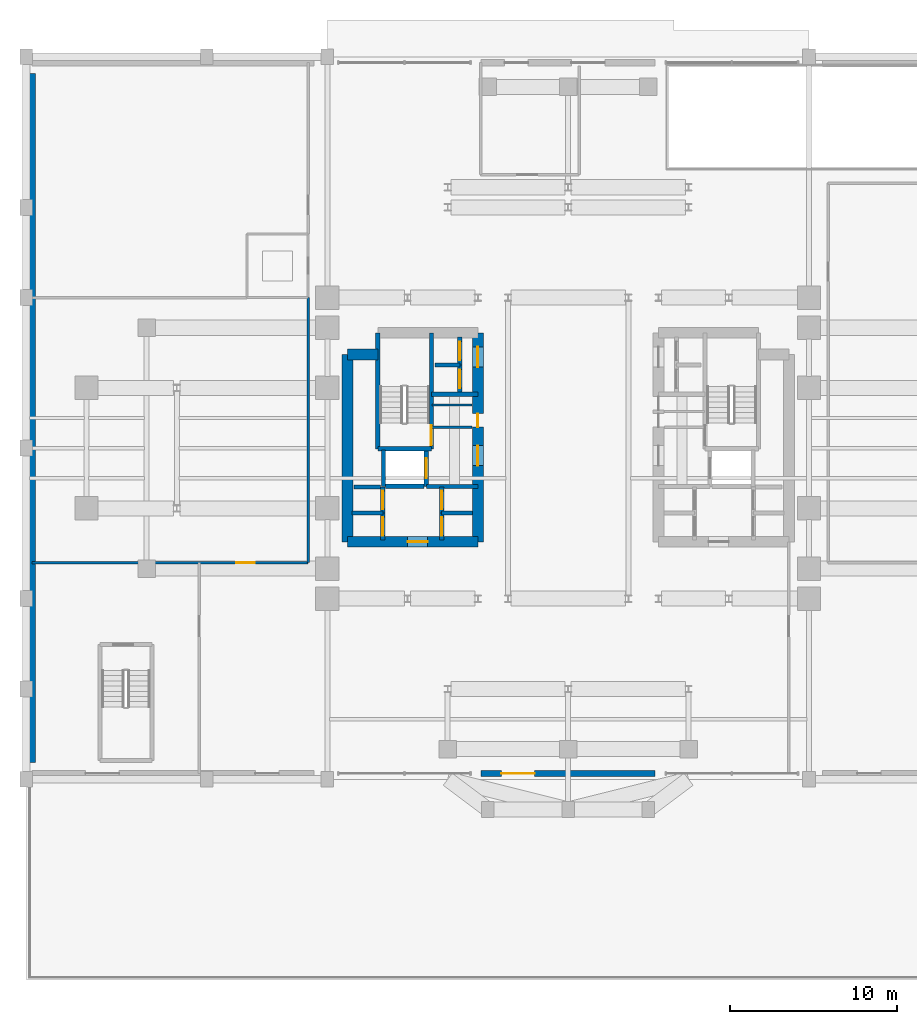
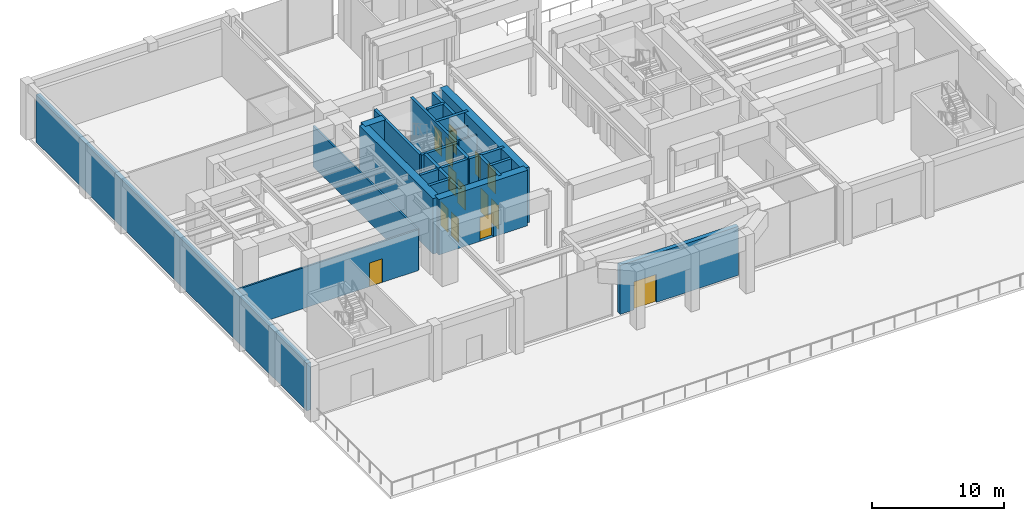
# One storey, part 10 of 17: 28 walls, 14 doors, 14 openings.
"""IFC4 building model written with IfcOpenShell, lengths in metres."""

from ifc_helpers import new_model, si_unit, direction, frame, frame_2d, origin, place, context, subcontext, project, spatial, rectangle, extrude, source, transform, mapped, material, layer, layer_set, type_object, element, fill, save


model = new_model("IFC4")

# Units and contexts
model_context = context("Model", 3, precision=1e-05, world=origin(), true_north=direction((0.0, 1.0)))
body_context = subcontext(model_context, "Body", "Model", "MODEL_VIEW")
ifc_project = project(units=[si_unit("LENGTHUNIT", "METRE"), si_unit("AREAUNIT", "SQUARE_METRE"), si_unit("VOLUMEUNIT", "CUBIC_METRE"), si_unit("PLANEANGLEUNIT", "RADIAN"), si_unit("MASSUNIT", "GRAM", prefix="KILO")], contexts=[model_context])

# Site, building, storey
site_placement = place(None, origin())
site = spatial("IfcSite", under=ifc_project, at=site_placement, CompositionType="ELEMENT")
building_placement = place(site_placement, origin())
building = spatial("IfcBuilding", under=site, at=building_placement, Name="Keilestroom Media Tower", CompositionType="ELEMENT")
storey_placement = place(building_placement, origin())
storey = spatial("IfcBuildingStorey", under=building, at=storey_placement, Name="L00", CompositionType="ELEMENT", Elevation=0.0)

# Wall
ifc_material_1 = material(Name="Precast concrete C40/50", Category="concrete")
ifc_layer_1 = layer(ifc_material_1, 0.3798828125)
ifc_layer_set_1 = layer_set([ifc_layer_1], Name="Precast concrete C40/50")
wall_type_1 = type_object("IfcWallType", Name="Exterior-Masonry-Spandrel-Wall-380", PredefinedType="SOLIDWALL", material=ifc_layer_set_1)
wall_1_placement = place(storey_placement, frame((-32.050048828125, -18.800048828125, 0.0), z_axis=(0.0, 0.0, 1.0), x_axis=(0.0, 1.0, 0.0)))
element("IfcWall", 1, at=wall_1_placement, inside=storey, type_object=wall_type_1, Name="L00 Podium Precast Masonry Wall EWL-L00-W-M", PredefinedType="SOLIDWALL", context=body_context, shape_type="SweptSolid", body=[
    extrude(rectangle(XDim=41.199951171875, YDim=0.3798828125, at=frame_2d((20.60009765625, 0.0))), origin(), (0.0, 0.0, 1.0), 4.39990234375),
])

# Wall, opening, door
wall_2_placement = place(storey_placement, frame((-5.199951171875, -19.449951171875, 0.0), z_axis=(0.0, 0.0, 1.0), x_axis=(1.0, 0.0, 0.0)))
wall_2 = element("IfcWall", 2, at=wall_2_placement, inside=storey, type_object=wall_type_1, Name="L00 Podium Precast Masonry Wall EWL-L00-S-C", PredefinedType="SOLIDWALL", context=body_context, shape_type="SweptSolid", body=[
    extrude(rectangle(XDim=10.39990234375, YDim=0.3798828125, at=frame_2d((5.199951171875, 0.0))), origin(), (0.0, 0.0, 1.0), 4.550048828125),
])
opening_1_placement = place(wall_2_placement, frame((1.199951171875, 0.0, 0.0)))
opening_1 = element("IfcOpeningElement", 3, at=opening_1_placement, cuts=wall_2, Name="Opening DE-01", PredefinedType="OPENING", context=body_context, shape_type="SweptSolid", body=[
    extrude(rectangle(XDim=2.0, YDim=2.60009765625, at=frame_2d((1.0, 1.300048828125))), frame((0.0, 0.199951171875, 0.0), z_axis=(0.0, -1.0, 0.0), x_axis=(1.0, 0.0, 0.0)), (0.0, 0.0, 1.0), 0.39990234375),
])
ifc_material_2 = material(Name="Thermally Broken Aluminium & Laminated Glass", Category="aluminium")
door_type_1 = type_object("IfcDoorType", Name="Exterior-Entrance-And-Terrace-Door-DE-01", OperationType="DOUBLE_DOOR_SINGLE_SWING", PredefinedType="DOOR", material=ifc_material_2)
shared_shape_1 = source(origin(), body_context, "Body", "SweptSolid", [
    extrude(rectangle(XDim=2.0, YDim=2.60009765625, at=frame_2d((1.0, 1.300048828125))), frame((0.0, 0.02490234375, 0.0), z_axis=(0.0, -1.0, 0.0), x_axis=(1.0, 0.0, 0.0)), (0.0, 0.0, 1.0), 0.050048828125),
])
door_1_placement = place(opening_1_placement, frame((2.0, 0.0, 0.0), z_axis=(0.0, 0.0, 1.0), x_axis=(-1.0, 0.0, 0.0)))
door_1 = element("IfcDoor", 4, at=door_1_placement, inside=storey, type_object=door_type_1, Name="Quay Central Foyer Entrance DE-01", OperationType="DOUBLE_DOOR_SINGLE_SWING", OverallHeight=2.60009765625, OverallWidth=2.0, PredefinedType="DOOR", context=body_context, shape_type="MappedRepresentation", body=[
    mapped(shared_shape_1, transform((0.0, 0.0, 0.0), x_axis=(1.0, 0.0, 0.0), y_axis=(0.0, 1.0, 0.0), z_axis=(0.0, 0.0, 1.0), scale=1.0)),
])
fill(opening_1, door_1)

# Walls
ifc_material_3 = material(Name="Gypsum Plasterboard & Steel Stud", Category="steel")
ifc_layer_2 = layer(ifc_material_3, 0.1201171875)
ifc_layer_set_2 = layer_set([ifc_layer_2], Name="Gypsum Plasterboard & Steel Stud")
wall_type_2 = type_object("IfcWallType", Name="Interior-Partition-Wall-120", PredefinedType="PARTITIONING", material=ifc_layer_set_2)
wall_3_placement = place(storey_placement, frame((-8.139892578125, 2.580078125, 0.0), z_axis=(0.0, 0.0, 1.0), x_axis=(1.0, 0.0, 0.0)))
element("IfcWall", 5, at=wall_3_placement, inside=storey, type_object=wall_type_2, Name="L00 Interior Wall WP-L00-CNW-N", PredefinedType="PARTITIONING", context=body_context, shape_type="SweptSolid", body=[
    extrude(rectangle(XDim=2.389892578125, YDim=0.1201171875, at=frame_2d((1.19482421875, 0.0))), origin(), (0.0, 0.0, 1.0), 4.25),
])
ifc_layer_3 = layer(ifc_material_3, 0.14990234375)
ifc_layer_set_3 = layer_set([ifc_layer_3], Name="Gypsum Plasterboard & Steel Stud")
wall_type_3 = type_object("IfcWallType", Name="Interior-Partition-Wall-150", PredefinedType="PARTITIONING", material=ifc_layer_set_3)
wall_4_placement = place(storey_placement, frame((-8.139892578125, 1.239990234375, 0.0), z_axis=(0.0, 0.0, 1.0), x_axis=(1.0, 0.0, 0.0)))
element("IfcWall", 6, at=wall_4_placement, inside=storey, type_object=wall_type_3, Name="L00 Interior Wall WP-L00-FFW-TOP", PredefinedType="PARTITIONING", context=body_context, shape_type="SweptSolid", body=[
    extrude(rectangle(XDim=2.389892578125, YDim=0.14990234375, at=frame_2d((1.19482421875, 0.0))), origin(), (0.0, 0.0, 1.0), 4.25),
])

# Wall, opening, door
wall_5_placement = place(storey_placement, frame((-32.050048828125, -6.85009765625, 0.0), z_axis=(0.0, 0.0, 1.0), x_axis=(1.0, 0.0, 0.0)))
wall_5 = element("IfcWall", 7, at=wall_5_placement, inside=storey, type_object=wall_type_3, Name="L00 Interior Wall WP-L00-L00-CAFE-S", PredefinedType="PARTITIONING", context=body_context, shape_type="SweptSolid", body=[
    extrude(rectangle(XDim=16.5, YDim=0.14990234375, at=frame_2d((8.25, 0.0))), origin(), (0.0, 0.0, 1.0), 3.800048828125),
])
opening_2_placement = place(wall_5_placement, frame((12.199951171875, 0.0, 0.0)))
opening_2 = element("IfcOpeningElement", 8, at=opening_2_placement, cuts=wall_5, Name="Opening DI-04", PredefinedType="OPENING", context=body_context, shape_type="SweptSolid", body=[
    extrude(rectangle(XDim=1.10009765625, YDim=2.199951171875, at=frame_2d((0.550048828125, 1.10009765625))), frame((0.0, 0.0849609375, 0.0), z_axis=(0.0, -1.0, 0.0), x_axis=(1.0, 0.0, 0.0)), (0.0, 0.0, 1.0), 0.169921875),
])
ifc_material_4 = material(Name="Acoustic Glazed Aluminium Leaf", Category="aluminium")
door_type_2 = type_object("IfcDoorType", Name="Interior-Room-And-Suite-Door-DI-04", OperationType="NOTDEFINED", PredefinedType="DOOR", material=ifc_material_4)
shared_shape_2 = source(origin(), body_context, "Body", "SweptSolid", [
    extrude(rectangle(XDim=1.10009765625, YDim=2.199951171875, at=frame_2d((0.550048828125, 1.10009765625))), frame((0.0, 0.02490234375, 0.0), z_axis=(0.0, -1.0, 0.0), x_axis=(1.0, 0.0, 0.0)), (0.0, 0.0, 1.0), 0.050048828125),
])
door_2_placement = place(opening_2_placement, origin())
door_2 = element("IfcDoor", 9, at=door_2_placement, inside=storey, type_object=door_type_2, Name="L00 Interior Door DI-L00-L00-CAFE-D", OperationType="SINGLE_SWING_LEFT", OverallHeight=2.199951171875, OverallWidth=1.10009765625, PredefinedType="DOOR", context=body_context, shape_type="MappedRepresentation", body=[
    mapped(shared_shape_2, transform((0.0, 0.0, 0.0), x_axis=(1.0, 0.0, 0.0), y_axis=(0.0, 1.0, 0.0), z_axis=(0.0, 0.0, 1.0), scale=1.0)),
])
fill(opening_2, door_2)

# Walls
wall_6_placement = place(storey_placement, frame((-15.550048828125, -6.85009765625, 0.0), z_axis=(0.0, 0.0, 1.0), x_axis=(0.0, 1.0, 0.0)))
element("IfcWall", 10, at=wall_6_placement, inside=storey, type_object=wall_type_3, Name="L00 Interior Wall WP-L00-L00-CAFE-E", PredefinedType="PARTITIONING", context=body_context, shape_type="SweptSolid", body=[
    extrude(rectangle(XDim=15.85009765625, YDim=0.14990234375, at=frame_2d((7.925048828125, 0.0))), origin(), (0.0, 0.0, 1.0), 3.800048828125),
])
ifc_material_5 = material(Name="Concrete C70/85", Category="concrete")
ifc_layer_4 = layer(ifc_material_5, 0.64990234375)
ifc_layer_set_4 = layer_set([ifc_layer_4], Name="Concrete C70/85")
wall_type_4 = type_object("IfcWallType", Name="Reinforced-Concrete-Core-Shear-Wall-650", PredefinedType="SHEAR", material=ifc_layer_set_4)
wall_7_placement = place(storey_placement, frame((-13.199951171875, -5.60009765625, 0.0), z_axis=(0.0, 0.0, 1.0), x_axis=(0.0, 1.0, 0.0)))
element("IfcWall", 11, at=wall_7_placement, inside=storey, type_object=wall_type_4, Name="L00 Core Shear Wall WL-L00-CORE-W-OUT", PredefinedType="SHEAR", context=body_context, shape_type="SweptSolid", body=[
    extrude(rectangle(XDim=11.2001953125, YDim=0.64990234375, at=frame_2d((5.60009765625, 0.0))), origin(), (0.0, 0.0, 1.0), 5.14990234375),
])

# Wall, openings, doors
wall_8_placement = place(storey_placement, frame((-5.39990234375, -5.60009765625, 0.0), z_axis=(0.0, 0.0, 1.0), x_axis=(0.0, 1.0, 0.0)))
wall_8 = element("IfcWall", 12, at=wall_8_placement, inside=storey, type_object=wall_type_4, Name="L00 Core Shear Wall WL-L00-CORE-W-IN", PredefinedType="SHEAR", context=body_context, shape_type="SweptSolid", body=[
    extrude(rectangle(XDim=12.5, YDim=0.64990234375, at=frame_2d((6.25, 0.0))), origin(), (0.0, 0.0, 1.0), 5.14990234375),
])
opening_3_placement = place(wall_8_placement, frame((4.550048828125, 0.0, 0.0)))
opening_3 = element("IfcOpeningElement", 13, at=opening_3_placement, cuts=wall_8, Name="Opening DI-02", PredefinedType="OPENING", context=body_context, shape_type="SweptSolid", body=[
    extrude(rectangle(XDim=1.199951171875, YDim=2.199951171875, at=frame_2d((0.60009765625, 1.10009765625))), frame((0.0, 0.3349609375, 0.0), z_axis=(0.0, -1.0, 0.0), x_axis=(1.0, 0.0, 0.0)), (0.0, 0.0, 1.0), 0.669921875),
])
opening_4_placement = place(wall_8_placement, frame((10.449951171875, 0.0, 0.0)))
opening_4 = element("IfcOpeningElement", 14, at=opening_4_placement, cuts=wall_8, Name="Opening DI-02", PredefinedType="OPENING", context=body_context, shape_type="SweptSolid", body=[
    extrude(rectangle(XDim=1.199951171875, YDim=2.199951171875, at=frame_2d((0.60009765625, 1.10009765625))), frame((0.0, 0.3349609375, 0.0), z_axis=(0.0, -1.0, 0.0), x_axis=(1.0, 0.0, 0.0)), (0.0, 0.0, 1.0), 0.669921875),
])
opening_5_placement = place(wall_8_placement, frame((6.860107421875, 0.0, 0.0)))
opening_5 = element("IfcOpeningElement", 15, at=opening_5_placement, cuts=wall_8, Name="Opening DI-06", PredefinedType="OPENING", context=body_context, shape_type="SweptSolid", body=[
    extrude(rectangle(XDim=0.800048828125, YDim=2.10009765625, at=frame_2d((0.39990234375, 1.050048828125))), frame((0.0, 0.3349609375, 0.0), z_axis=(0.0, -1.0, 0.0), x_axis=(1.0, 0.0, 0.0)), (0.0, 0.0, 1.0), 0.669921875),
])
ifc_material_6 = material(Name="Powder-Coated Steel Fire Leaf", Category="steel")
door_type_3 = type_object("IfcDoorType", Name="Interior-Compartment-Fire-Door-DI-02", OperationType="NOTDEFINED", PredefinedType="DOOR", material=ifc_material_6)
shared_shape_3 = source(origin(), body_context, "Body", "SweptSolid", [
    extrude(rectangle(XDim=1.199951171875, YDim=2.199951171875, at=frame_2d((0.60009765625, 1.10009765625))), frame((0.0, 0.02490234375, 0.0), z_axis=(0.0, -1.0, 0.0), x_axis=(1.0, 0.0, 0.0)), (0.0, 0.0, 1.0), 0.050048828125),
])
door_3_placement = place(opening_3_placement, origin())
door_3 = element("IfcDoor", 16, at=door_3_placement, inside=storey, type_object=door_type_3, Name="L00 W Firefighting Lobby Door", OperationType="SINGLE_SWING_RIGHT", OverallHeight=2.199951171875, OverallWidth=1.199951171875, PredefinedType="DOOR", context=body_context, shape_type="MappedRepresentation", body=[
    mapped(shared_shape_3, transform((0.0, 0.0, 0.0), x_axis=(1.0, 0.0, 0.0), y_axis=(0.0, 1.0, 0.0), z_axis=(0.0, 0.0, 1.0), scale=1.0)),
])
fill(opening_3, door_3)
door_4_placement = place(opening_4_placement, origin())
door_4 = element("IfcDoor", 17, at=door_4_placement, inside=storey, type_object=door_type_3, Name="L00 W High-Rise Lift Lobby Door", OperationType="SINGLE_SWING_LEFT", OverallHeight=2.199951171875, OverallWidth=1.199951171875, PredefinedType="DOOR", context=body_context, shape_type="MappedRepresentation", body=[
    mapped(shared_shape_3, transform((0.0, 0.0, 0.0), x_axis=(1.0, 0.0, 0.0), y_axis=(0.0, 1.0, 0.0), z_axis=(0.0, 0.0, 1.0), scale=1.0)),
])
fill(opening_4, door_4)
ifc_material_7 = material(Name="Powder-Coated Steel Service Leaf", Category="steel")
door_type_4 = type_object("IfcDoorType", Name="Interior-Riser-Access-Door-DI-06", OperationType="NOTDEFINED", PredefinedType="DOOR", material=ifc_material_7)
shared_shape_4 = source(origin(), body_context, "Body", "SweptSolid", [
    extrude(rectangle(XDim=0.800048828125, YDim=2.10009765625, at=frame_2d((0.39990234375, 1.050048828125))), frame((0.0, 0.02490234375, 0.0), z_axis=(0.0, -1.0, 0.0), x_axis=(1.0, 0.0, 0.0)), (0.0, 0.0, 1.0), 0.050048828125),
])
door_5_placement = place(opening_5_placement, origin())
door_5 = element("IfcDoor", 18, at=door_5_placement, inside=storey, type_object=door_type_4, Name="L00 West Core Switchroom Door", OperationType="SINGLE_SWING_LEFT", OverallHeight=2.10009765625, OverallWidth=0.800048828125, PredefinedType="DOOR", context=body_context, shape_type="MappedRepresentation", body=[
    mapped(shared_shape_4, transform((0.0, 0.0, 0.0), x_axis=(1.0, 0.0, 0.0), y_axis=(0.0, 1.0, 0.0), z_axis=(0.0, 0.0, 1.0), scale=1.0)),
])
fill(opening_5, door_5)

# Wall
wall_9_placement = place(storey_placement, frame((-13.199951171875, 5.60009765625, 0.0), z_axis=(0.0, 0.0, 1.0), x_axis=(1.0, 0.0, 0.0)))
element("IfcWall", 19, at=wall_9_placement, inside=storey, type_object=wall_type_4, Name="L00 Core Shear Wall WL-L00-CNW-N", PredefinedType="SHEAR", context=body_context, shape_type="SweptSolid", body=[
    extrude(rectangle(XDim=1.81884765625, YDim=0.64990234375, at=frame_2d((0.909423828125, 0.0))), origin(), (0.0, 0.0, 1.0), 5.14990234375),
])

# Wall, opening, door
wall_10_placement = place(storey_placement, frame((-13.199951171875, -5.60009765625, 0.0), z_axis=(0.0, 0.0, 1.0), x_axis=(1.0, 0.0, 0.0)))
wall_10 = element("IfcWall", 20, at=wall_10_placement, inside=storey, type_object=wall_type_4, Name="L00 Core Shear Wall WL-L00-CORE-W-S", PredefinedType="SHEAR", context=body_context, shape_type="SweptSolid", body=[
    extrude(rectangle(XDim=7.800048828125, YDim=0.64990234375, at=frame_2d((3.89990234375, 0.0))), origin(), (0.0, 0.0, 1.0), 5.14990234375),
])
opening_6_placement = place(wall_10_placement, frame((3.60009765625, 0.0, 0.0)))
opening_6 = element("IfcOpeningElement", 21, at=opening_6_placement, cuts=wall_10, Name="Opening DI-02", PredefinedType="OPENING", context=body_context, shape_type="SweptSolid", body=[
    extrude(rectangle(XDim=1.199951171875, YDim=2.199951171875, at=frame_2d((0.60009765625, 1.10009765625))), frame((0.0, 0.3349609375, 0.0), z_axis=(0.0, -1.0, 0.0), x_axis=(1.0, 0.0, 0.0)), (0.0, 0.0, 1.0), 0.669921875),
])
door_6_placement = place(opening_6_placement, origin())
door_6 = element("IfcDoor", 22, at=door_6_placement, inside=storey, type_object=door_type_3, Name="L00 W Passenger Lift Lobby Door", OperationType="SINGLE_SWING_LEFT", OverallHeight=2.199951171875, OverallWidth=1.199951171875, PredefinedType="DOOR", context=body_context, shape_type="MappedRepresentation", body=[
    mapped(shared_shape_3, transform((0.0, 0.0, 0.0), x_axis=(1.0, 0.0, 0.0), y_axis=(0.0, 1.0, 0.0), z_axis=(0.0, 0.0, 1.0), scale=1.0)),
])
fill(opening_6, door_6)

# Walls
ifc_material_8 = material(Name="Concrete C50/60", Category="concrete")
ifc_layer_5 = layer(ifc_material_8, 0.25)
ifc_layer_set_5 = layer_set([ifc_layer_5], Name="Concrete C50/60")
wall_type_5 = type_object("IfcWallType", Name="Reinforced-Concrete-Shaft-Wall-250", PredefinedType="SOLIDWALL", material=ifc_layer_set_5)
wall_11_placement = place(storey_placement, frame((-8.179931640625, 3.219970703125, 0.0), z_axis=(0.0, 0.0, 1.0), x_axis=(1.0, 0.0, 0.0)))
element("IfcWall", 23, at=wall_11_placement, inside=storey, type_object=wall_type_5, Name="L00 Core Shear Wall WL-L00-CORE-W-FFN", PredefinedType="SOLIDWALL", context=body_context, shape_type="SweptSolid", body=[
    extrude(rectangle(XDim=2.780029296875, YDim=0.25, at=frame_2d((1.39013671875, 0.0))), origin(), (0.0, 0.0, 1.0), 5.14990234375),
])
wall_12_placement = place(storey_placement, frame((-8.47998046875, -2.300048828125, 0.0), z_axis=(0.0, 0.0, 1.0), x_axis=(1.0, 0.0, 0.0)))
element("IfcWall", 24, at=wall_12_placement, inside=storey, type_object=wall_type_5, Name="L00 Core Shear Wall WL-L00-CORE-W-FFS", PredefinedType="SOLIDWALL", context=body_context, shape_type="SweptSolid", body=[
    extrude(rectangle(XDim=3.080078125, YDim=0.25, at=frame_2d((1.5400390625, 0.0))), origin(), (0.0, 0.0, 1.0), 5.14990234375),
])

# Wall, opening, door
wall_13_placement = place(storey_placement, frame((-8.178955078125, -0.041015625, 0.0), z_axis=(0.0, 0.0, 1.0), x_axis=(0.0, 1.0, 0.0)))
wall_13 = element("IfcWall", 25, at=wall_13_placement, inside=storey, type_object=wall_type_5, Name="L00 Core Shear Wall WL-L00-STW-W-NEAR", PredefinedType="SOLIDWALL", context=body_context, shape_type="SweptSolid", body=[
    extrude(rectangle(XDim=6.94091796875, YDim=0.25, at=frame_2d((3.470458984375, 0.0))), origin(), (0.0, 0.0, 1.0), 5.14990234375),
])
opening_7_placement = place(wall_13_placement, frame((0.199951171875, 0.0, 0.0)))
opening_7 = element("IfcOpeningElement", 26, at=opening_7_placement, cuts=wall_13, Name="Opening DI-01S", PredefinedType="OPENING", context=body_context, shape_type="SweptSolid", body=[
    extrude(rectangle(XDim=1.199951171875, YDim=2.199951171875, at=frame_2d((0.60009765625, 1.10009765625))), frame((0.0, 0.135009765625, 0.0), z_axis=(0.0, -1.0, 0.0), x_axis=(1.0, 0.0, 0.0)), (0.0, 0.0, 1.0), 0.27001953125),
])
door_type_5 = type_object("IfcDoorType", Name="Interior-Stair-And-Core-Fire-Door-DI-01", OperationType="NOTDEFINED", PredefinedType="DOOR", material=ifc_material_6)
door_7_placement = place(opening_7_placement, origin())
door_7 = element("IfcDoor", 27, at=door_7_placement, inside=storey, type_object=door_type_5, Name="L00 Escape Stair ST-1 Fire Door", OperationType="SINGLE_SWING_LEFT", OverallHeight=2.199951171875, OverallWidth=1.199951171875, PredefinedType="DOOR", context=body_context, shape_type="MappedRepresentation", body=[
    mapped(shared_shape_3, transform((0.0, 0.0, 0.0), x_axis=(1.0, 0.0, 0.0), y_axis=(0.0, 1.0, 0.0), z_axis=(0.0, 0.0, 1.0), scale=1.0)),
])
fill(opening_7, door_7)

# Walls
wall_14_placement = place(storey_placement, frame((-11.381103515625, -0.041015625, 0.0), z_axis=(0.0, 0.0, 1.0), x_axis=(0.0, 1.0, 0.0)))
element("IfcWall", 28, at=wall_14_placement, inside=storey, type_object=wall_type_5, Name="L00 Core Shear Wall WL-L00-STW-W-FAR", PredefinedType="SOLIDWALL", context=body_context, shape_type="SweptSolid", body=[
    extrude(rectangle(XDim=6.94091796875, YDim=0.25, at=frame_2d((3.470458984375, 0.0))), origin(), (0.0, 0.0, 1.0), 5.14990234375),
])
wall_15_placement = place(storey_placement, frame((-11.381103515625, -0.041015625, 0.0), z_axis=(0.0, 0.0, 1.0), x_axis=(1.0, 0.0, 0.0)))
element("IfcWall", 29, at=wall_15_placement, inside=storey, type_object=wall_type_5, Name="L00 Core Shear Wall WL-L00-STW-W-S", PredefinedType="SOLIDWALL", context=body_context, shape_type="SweptSolid", body=[
    extrude(rectangle(XDim=3.2021484375, YDim=0.25, at=frame_2d((1.60107421875, 0.0))), origin(), (0.0, 0.0, 1.0), 5.14990234375),
])
wall_16_placement = place(storey_placement, frame((-11.050048828125, -2.280029296875, 0.0), z_axis=(0.0, 0.0, 1.0), x_axis=(0.0, 1.0, 0.0)))
element("IfcWall", 30, at=wall_16_placement, inside=storey, type_object=wall_type_5, Name="L00 Core Shear Wall WL-L00-LSH-FFL-1-W", PredefinedType="SOLIDWALL", context=body_context, shape_type="SweptSolid", body=[
    extrude(rectangle(XDim=2.179931640625, YDim=0.25, at=frame_2d((1.08984375, 0.0))), origin(), (0.0, 0.0, 1.0), 5.14990234375),
])

# Wall, opening, door
wall_17_placement = place(storey_placement, frame((-8.47998046875, -2.280029296875, 0.0), z_axis=(0.0, 0.0, 1.0), x_axis=(0.0, 1.0, 0.0)))
wall_17 = element("IfcWall", 31, at=wall_17_placement, inside=storey, type_object=wall_type_5, Name="L00 Core Shear Wall WL-L00-LSH-FFL-1-E", PredefinedType="SOLIDWALL", context=body_context, shape_type="SweptSolid", body=[
    extrude(rectangle(XDim=2.179931640625, YDim=0.25, at=frame_2d((1.08984375, 0.0))), origin(), (0.0, 0.0, 1.0), 5.14990234375),
])
opening_8_placement = place(wall_17_placement, frame((0.489990234375, 0.0, 0.0)))
opening_8 = element("IfcOpeningElement", 32, at=opening_8_placement, cuts=wall_17, Name="Opening LD-02", PredefinedType="OPENING", context=body_context, shape_type="SweptSolid", body=[
    extrude(rectangle(XDim=1.199951171875, YDim=2.199951171875, at=frame_2d((0.60009765625, 1.10009765625))), frame((0.0, 0.135009765625, 0.0), z_axis=(0.0, -1.0, 0.0), x_axis=(1.0, 0.0, 0.0)), (0.0, 0.0, 1.0), 0.27001953125),
])
ifc_material_9 = material(Name="Brushed Stainless Steel Sliding Leaf", Category="steel")
door_type_6 = type_object("IfcDoorType", Name="Lift-Landing-Sliding-Door-LD-02", OperationType="SLIDING_TO_RIGHT", PredefinedType="DOOR", material=ifc_material_9)
door_8_placement = place(opening_8_placement, origin())
door_8 = element("IfcDoor", 33, at=door_8_placement, inside=storey, type_object=door_type_6, Name="L00 Lift FFL-1 Landing Sliding Door", OperationType="SLIDING_TO_RIGHT", OverallHeight=2.199951171875, OverallWidth=1.199951171875, PredefinedType="DOOR", context=body_context, shape_type="MappedRepresentation", body=[
    mapped(shared_shape_3, transform((0.0, 0.0, 0.0), x_axis=(1.0, 0.0, 0.0), y_axis=(0.0, 1.0, 0.0), z_axis=(0.0, 0.0, 1.0), scale=1.0)),
])
fill(opening_8, door_8)

# Wall
wall_18_placement = place(storey_placement, frame((-10.9208984375, -2.280029296875, 0.0), z_axis=(0.0, 0.0, 1.0), x_axis=(1.0, 0.0, 0.0)))
element("IfcWall", 34, at=wall_18_placement, inside=storey, type_object=wall_type_5, Name="L00 Core Shear Wall WL-L00-LSH-FFL-1-S", PredefinedType="SOLIDWALL", context=body_context, shape_type="SweptSolid", body=[
    extrude(rectangle(XDim=2.31201171875, YDim=0.25, at=frame_2d((1.156005859375, 0.0))), origin(), (0.0, 0.0, 1.0), 5.14990234375),
])

# Wall, opening, door
wall_19_placement = place(storey_placement, frame((-11.080078125, -5.47998046875, 0.0), z_axis=(0.0, 0.0, 1.0), x_axis=(0.0, 1.0, 0.0)))
wall_19 = element("IfcWall", 35, at=wall_19_placement, inside=storey, type_object=wall_type_5, Name="L00 Core Shear Wall WL-L00-LSH-PL-L1-E", PredefinedType="SOLIDWALL", context=body_context, shape_type="SweptSolid", body=[
    extrude(rectangle(XDim=1.60009765625, YDim=0.25, at=frame_2d((0.800048828125, 0.0))), origin(), (0.0, 0.0, 1.0), 5.14990234375),
])
opening_9_placement = place(wall_19_placement, frame((0.25, 0.0, 0.0)))
opening_9 = element("IfcOpeningElement", 36, at=opening_9_placement, cuts=wall_19, Name="Opening LD-01", PredefinedType="OPENING", context=body_context, shape_type="SweptSolid", body=[
    extrude(rectangle(XDim=1.10009765625, YDim=2.199951171875, at=frame_2d((0.550048828125, 1.10009765625))), frame((0.0, 0.135009765625, 0.0), z_axis=(0.0, -1.0, 0.0), x_axis=(1.0, 0.0, 0.0)), (0.0, 0.0, 1.0), 0.27001953125),
])
door_type_7 = type_object("IfcDoorType", Name="Lift-Landing-Sliding-Door-LD-01", OperationType="SLIDING_TO_LEFT", PredefinedType="DOOR", material=ifc_material_9)
door_9_placement = place(opening_9_placement, origin())
door_9 = element("IfcDoor", 37, at=door_9_placement, inside=storey, type_object=door_type_7, Name="L00 Lift PL-L1 Landing Sliding Door", OperationType="SLIDING_TO_LEFT", OverallHeight=2.199951171875, OverallWidth=1.10009765625, PredefinedType="DOOR", context=body_context, shape_type="MappedRepresentation", body=[
    mapped(shared_shape_2, transform((0.0, 0.0, 0.0), x_axis=(1.0, 0.0, 0.0), y_axis=(0.0, 1.0, 0.0), z_axis=(0.0, 0.0, 1.0), scale=1.0)),
])
fill(opening_9, door_9)

# Wall
wall_20_placement = place(storey_placement, frame((-12.919921875, -3.8798828125, 0.0), z_axis=(0.0, 0.0, 1.0), x_axis=(1.0, 0.0, 0.0)))
element("IfcWall", 38, at=wall_20_placement, inside=storey, type_object=wall_type_5, Name="L00 Core Shear Wall WL-L00-LSH-PL-L1-N", PredefinedType="SOLIDWALL", context=body_context, shape_type="SweptSolid", body=[
    extrude(rectangle(XDim=1.83984375, YDim=0.25, at=frame_2d((0.919921875, 0.0))), origin(), (0.0, 0.0, 1.0), 5.14990234375),
])

# Wall, opening, door
wall_21_placement = place(storey_placement, frame((-11.080078125, -3.8798828125, 0.0), z_axis=(0.0, 0.0, 1.0), x_axis=(0.0, 1.0, 0.0)))
wall_21 = element("IfcWall", 39, at=wall_21_placement, inside=storey, type_object=wall_type_5, Name="L00 Core Shear Wall WL-L00-LSH-PL-L2-E", PredefinedType="SOLIDWALL", context=body_context, shape_type="SweptSolid", body=[
    extrude(rectangle(XDim=1.559814453125, YDim=0.25, at=frame_2d((0.77978515625, 0.0))), origin(), (0.0, 0.0, 1.0), 5.14990234375),
])
opening_10_placement = place(wall_21_placement, frame((0.22998046875, 0.0, 0.0)))
opening_10 = element("IfcOpeningElement", 40, at=opening_10_placement, cuts=wall_21, Name="Opening LD-01", PredefinedType="OPENING", context=body_context, shape_type="SweptSolid", body=[
    extrude(rectangle(XDim=1.10009765625, YDim=2.199951171875, at=frame_2d((0.550048828125, 1.10009765625))), frame((0.0, 0.135009765625, 0.0), z_axis=(0.0, -1.0, 0.0), x_axis=(1.0, 0.0, 0.0)), (0.0, 0.0, 1.0), 0.27001953125),
])
door_10_placement = place(opening_10_placement, origin())
door_10 = element("IfcDoor", 41, at=door_10_placement, inside=storey, type_object=door_type_7, Name="L00 Lift PL-L2 Landing Sliding Door", OperationType="SLIDING_TO_LEFT", OverallHeight=2.199951171875, OverallWidth=1.10009765625, PredefinedType="DOOR", context=body_context, shape_type="MappedRepresentation", body=[
    mapped(shared_shape_2, transform((0.0, 0.0, 0.0), x_axis=(1.0, 0.0, 0.0), y_axis=(0.0, 1.0, 0.0), z_axis=(0.0, 0.0, 1.0), scale=1.0)),
])
fill(opening_10, door_10)

# Wall
wall_22_placement = place(storey_placement, frame((-12.791015625, -2.320068359375, 0.0), z_axis=(0.0, 0.0, 1.0), x_axis=(1.0, 0.0, 0.0)))
element("IfcWall", 42, at=wall_22_placement, inside=storey, type_object=wall_type_5, Name="L00 Core Shear Wall WL-L00-LSH-PL-L2-N", PredefinedType="SOLIDWALL", context=body_context, shape_type="SweptSolid", body=[
    extrude(rectangle(XDim=1.58203125, YDim=0.25, at=frame_2d((0.791015625, 0.0))), origin(), (0.0, 0.0, 1.0), 5.14990234375),
])

# Wall, opening, door
wall_23_placement = place(storey_placement, frame((-7.56005859375, -5.47998046875, 0.0), z_axis=(0.0, 0.0, 1.0), x_axis=(0.0, 1.0, 0.0)))
wall_23 = element("IfcWall", 43, at=wall_23_placement, inside=storey, type_object=wall_type_5, Name="L00 Core Shear Wall WL-L00-LSH-PL-M1-W", PredefinedType="SOLIDWALL", context=body_context, shape_type="SweptSolid", body=[
    extrude(rectangle(XDim=1.60009765625, YDim=0.25, at=frame_2d((0.800048828125, 0.0))), origin(), (0.0, 0.0, 1.0), 5.14990234375),
])
opening_11_placement = place(wall_23_placement, frame((0.25, 0.0, 0.0)))
opening_11 = element("IfcOpeningElement", 44, at=opening_11_placement, cuts=wall_23, Name="Opening LD-01", PredefinedType="OPENING", context=body_context, shape_type="SweptSolid", body=[
    extrude(rectangle(XDim=1.10009765625, YDim=2.199951171875, at=frame_2d((0.550048828125, 1.10009765625))), frame((0.0, 0.135009765625, 0.0), z_axis=(0.0, -1.0, 0.0), x_axis=(1.0, 0.0, 0.0)), (0.0, 0.0, 1.0), 0.27001953125),
])
door_11_placement = place(opening_11_placement, origin())
door_11 = element("IfcDoor", 45, at=door_11_placement, inside=storey, type_object=door_type_7, Name="L00 Lift PL-M1 Landing Sliding Door", OperationType="SLIDING_TO_LEFT", OverallHeight=2.199951171875, OverallWidth=1.10009765625, PredefinedType="DOOR", context=body_context, shape_type="MappedRepresentation", body=[
    mapped(shared_shape_2, transform((0.0, 0.0, 0.0), x_axis=(1.0, 0.0, 0.0), y_axis=(0.0, 1.0, 0.0), z_axis=(0.0, 0.0, 1.0), scale=1.0)),
])
fill(opening_11, door_11)

# Wall
wall_24_placement = place(storey_placement, frame((-7.56005859375, -3.8798828125, 0.0), z_axis=(0.0, 0.0, 1.0), x_axis=(1.0, 0.0, 0.0)))
element("IfcWall", 46, at=wall_24_placement, inside=storey, type_object=wall_type_5, Name="L00 Core Shear Wall WL-L00-LSH-PL-M1-N", PredefinedType="SOLIDWALL", context=body_context, shape_type="SweptSolid", body=[
    extrude(rectangle(XDim=1.840087890625, YDim=0.25, at=frame_2d((0.919921875, 0.0))), origin(), (0.0, 0.0, 1.0), 5.14990234375),
])

# Wall, opening, door
wall_25_placement = place(storey_placement, frame((-7.56005859375, -3.8798828125, 0.0), z_axis=(0.0, 0.0, 1.0), x_axis=(0.0, 1.0, 0.0)))
wall_25 = element("IfcWall", 47, at=wall_25_placement, inside=storey, type_object=wall_type_5, Name="L00 Core Shear Wall WL-L00-LSH-PL-M2-W", PredefinedType="SOLIDWALL", context=body_context, shape_type="SweptSolid", body=[
    extrude(rectangle(XDim=1.559814453125, YDim=0.25, at=frame_2d((0.77978515625, 0.0))), origin(), (0.0, 0.0, 1.0), 5.14990234375),
])
opening_12_placement = place(wall_25_placement, frame((0.22998046875, 0.0, 0.0)))
opening_12 = element("IfcOpeningElement", 48, at=opening_12_placement, cuts=wall_25, Name="Opening LD-01", PredefinedType="OPENING", context=body_context, shape_type="SweptSolid", body=[
    extrude(rectangle(XDim=1.10009765625, YDim=2.199951171875, at=frame_2d((0.550048828125, 1.10009765625))), frame((0.0, 0.135009765625, 0.0), z_axis=(0.0, -1.0, 0.0), x_axis=(1.0, 0.0, 0.0)), (0.0, 0.0, 1.0), 0.27001953125),
])
door_12_placement = place(opening_12_placement, origin())
door_12 = element("IfcDoor", 49, at=door_12_placement, inside=storey, type_object=door_type_7, Name="L00 Lift PL-M2 Landing Sliding Door", OperationType="SLIDING_TO_LEFT", OverallHeight=2.199951171875, OverallWidth=1.10009765625, PredefinedType="DOOR", context=body_context, shape_type="MappedRepresentation", body=[
    mapped(shared_shape_2, transform((0.0, 0.0, 0.0), x_axis=(1.0, 0.0, 0.0), y_axis=(0.0, 1.0, 0.0), z_axis=(0.0, 0.0, 1.0), scale=1.0)),
])
fill(opening_12, door_12)

wall_26_placement = place(storey_placement, frame((-6.47998046875, 3.300048828125, 0.0), z_axis=(0.0, 0.0, 1.0), x_axis=(0.0, 1.0, 0.0)))
wall_26 = element("IfcWall", 50, at=wall_26_placement, inside=storey, type_object=wall_type_5, Name="L00 Core Shear Wall WL-L00-LSH-PL-H1-E", PredefinedType="SOLIDWALL", context=body_context, shape_type="SweptSolid", body=[
    extrude(rectangle(XDim=1.679931640625, YDim=0.25, at=frame_2d((0.83984375, 0.0))), origin(), (0.0, 0.0, 1.0), 5.14990234375),
])
opening_13_placement = place(wall_26_placement, frame((0.2900390625, 0.0, 0.0)))
opening_13 = element("IfcOpeningElement", 51, at=opening_13_placement, cuts=wall_26, Name="Opening LD-01", PredefinedType="OPENING", context=body_context, shape_type="SweptSolid", body=[
    extrude(rectangle(XDim=1.10009765625, YDim=2.199951171875, at=frame_2d((0.550048828125, 1.10009765625))), frame((0.0, 0.135009765625, 0.0), z_axis=(0.0, -1.0, 0.0), x_axis=(1.0, 0.0, 0.0)), (0.0, 0.0, 1.0), 0.27001953125),
])
door_13_placement = place(opening_13_placement, origin())
door_13 = element("IfcDoor", 52, at=door_13_placement, inside=storey, type_object=door_type_7, Name="L00 Lift PL-H1 Landing Sliding Door", OperationType="SLIDING_TO_LEFT", OverallHeight=2.199951171875, OverallWidth=1.10009765625, PredefinedType="DOOR", context=body_context, shape_type="MappedRepresentation", body=[
    mapped(shared_shape_2, transform((0.0, 0.0, 0.0), x_axis=(1.0, 0.0, 0.0), y_axis=(0.0, 1.0, 0.0), z_axis=(0.0, 0.0, 1.0), scale=1.0)),
])
fill(opening_13, door_13)

# Wall
wall_27_placement = place(storey_placement, frame((-7.949951171875, 4.97998046875, 0.0), z_axis=(0.0, 0.0, 1.0), x_axis=(1.0, 0.0, 0.0)))
element("IfcWall", 53, at=wall_27_placement, inside=storey, type_object=wall_type_5, Name="L00 Core Shear Wall WL-L00-LSH-PL-H1-N", PredefinedType="SOLIDWALL", context=body_context, shape_type="SweptSolid", body=[
    extrude(rectangle(XDim=1.469970703125, YDim=0.25, at=frame_2d((0.73486328125, 0.0))), origin(), (0.0, 0.0, 1.0), 5.14990234375),
])

# Wall, opening, door
wall_28_placement = place(storey_placement, frame((-6.47998046875, 4.97998046875, 0.0), z_axis=(0.0, 0.0, 1.0), x_axis=(0.0, 1.0, 0.0)))
wall_28 = element("IfcWall", 54, at=wall_28_placement, inside=storey, type_object=wall_type_5, Name="L00 Core Shear Wall WL-L00-LSH-PL-H2-E", PredefinedType="SOLIDWALL", context=body_context, shape_type="SweptSolid", body=[
    extrude(rectangle(XDim=1.669921875, YDim=0.25, at=frame_2d((0.8349609375, 0.0))), origin(), (0.0, 0.0, 1.0), 5.14990234375),
])
opening_14_placement = place(wall_28_placement, frame((0.284912109375, 0.0, 0.0)))
opening_14 = element("IfcOpeningElement", 55, at=opening_14_placement, cuts=wall_28, Name="Opening LD-01", PredefinedType="OPENING", context=body_context, shape_type="SweptSolid", body=[
    extrude(rectangle(XDim=1.10009765625, YDim=2.199951171875, at=frame_2d((0.550048828125, 1.10009765625))), frame((0.0, 0.135009765625, 0.0), z_axis=(0.0, -1.0, 0.0), x_axis=(1.0, 0.0, 0.0)), (0.0, 0.0, 1.0), 0.27001953125),
])
door_14_placement = place(opening_14_placement, origin())
door_14 = element("IfcDoor", 56, at=door_14_placement, inside=storey, type_object=door_type_7, Name="L00 Lift PL-H2 Landing Sliding Door", OperationType="SLIDING_TO_LEFT", OverallHeight=2.199951171875, OverallWidth=1.10009765625, PredefinedType="DOOR", context=body_context, shape_type="MappedRepresentation", body=[
    mapped(shared_shape_2, transform((0.0, 0.0, 0.0), x_axis=(1.0, 0.0, 0.0), y_axis=(0.0, 1.0, 0.0), z_axis=(0.0, 0.0, 1.0), scale=1.0)),
])
fill(opening_14, door_14)

save(model, "model.ifc")
